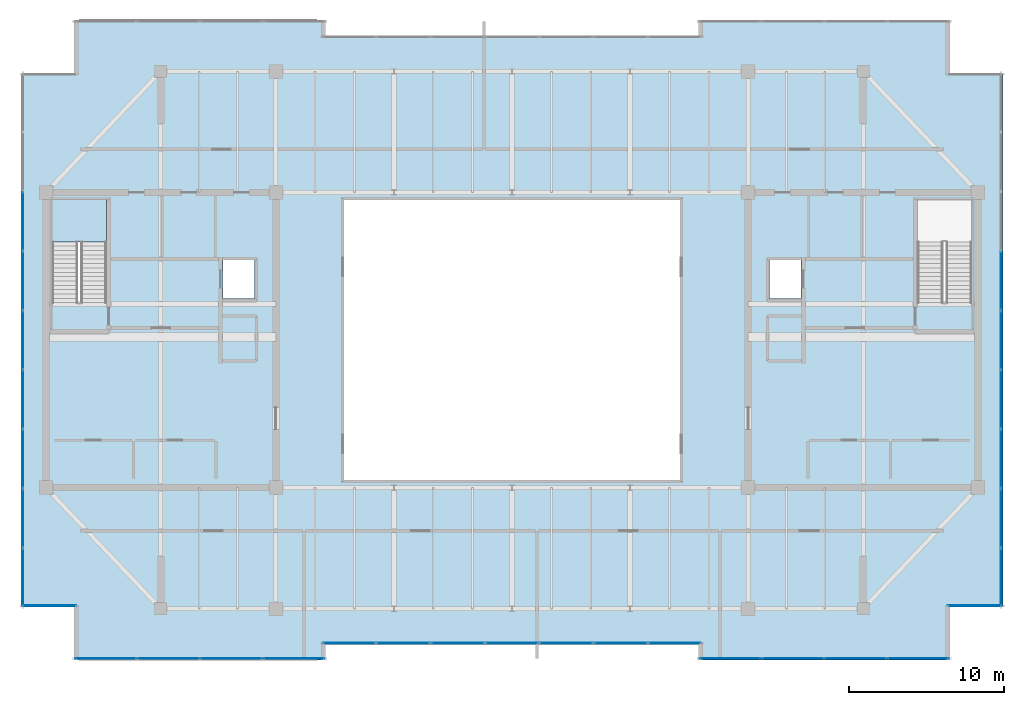
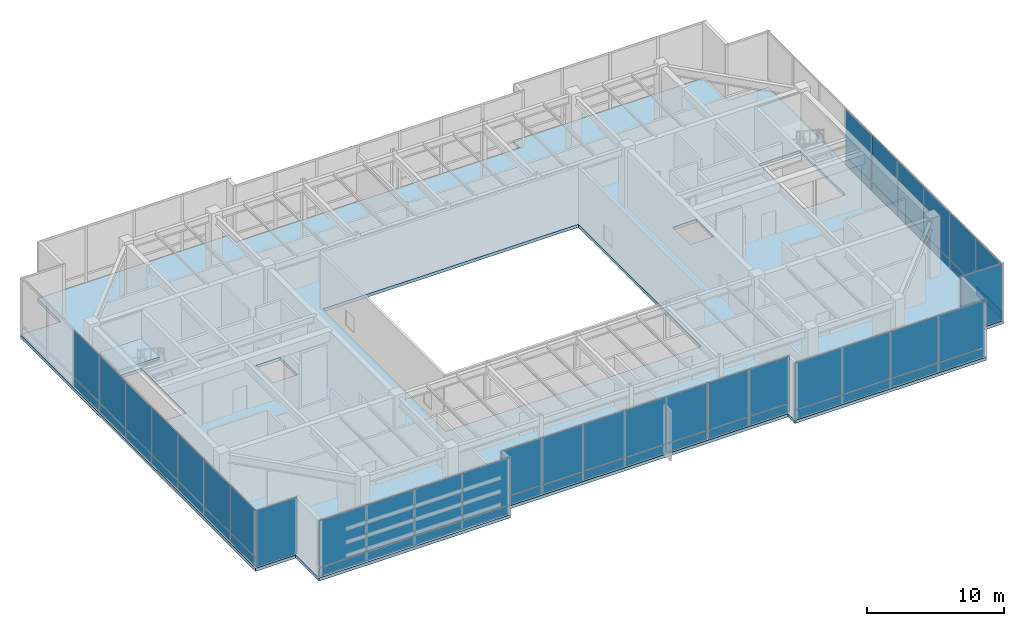
# One storey, part 23 of 30: 58 plates, 2 slabs, 8 elements without a shape of their own.
"""IFC4 building model written with IfcOpenShell, lengths in metres."""

from ifc_helpers import new_model, si_unit, direction, frame, origin, origin_2d, place, context, subcontext, project, spatial, polyline, rectangle, outline, extrude, source, transform, mapped, material, layer, layer_set, type_object, type_shapes, element, aggregate, save


model = new_model("IFC4")

# Units and contexts
model_context = context("Model", 3, precision=1e-05, world=origin(), true_north=direction((0.0, 1.0)))
body_context = subcontext(model_context, "Body", "Model", "MODEL_VIEW")
ifc_project = project(units=[si_unit("LENGTHUNIT", "METRE"), si_unit("AREAUNIT", "SQUARE_METRE"), si_unit("VOLUMEUNIT", "CUBIC_METRE"), si_unit("PLANEANGLEUNIT", "RADIAN"), si_unit("MASSUNIT", "GRAM", prefix="KILO")], contexts=[model_context])

# Site, building, storey
site_placement = place(None, origin())
site = spatial("IfcSite", under=ifc_project, at=site_placement, CompositionType="ELEMENT")
building_placement = place(site_placement, origin())
building = spatial("IfcBuilding", under=site, at=building_placement, Name="Haelvirn Gate Laboratories", CompositionType="ELEMENT")
storey_placement = place(building_placement, frame((0.0, 0.0, 332.39990234375)))
storey = spatial("IfcBuildingStorey", under=building, at=storey_placement, Name="L79", CompositionType="ELEMENT", Elevation=332.39990234375)

# Slab
ifc_material_1 = material(Name="Concrete C40/50", Category="concrete")
ifc_layer_1 = layer(ifc_material_1, 0.280029296875, Name="SL-CRN-280")
ifc_layer_set_1 = layer_set([ifc_layer_1], Name="Concrete C40/50")
slab_type_1 = type_object("IfcSlabType", Name="SL-CRN-280", PredefinedType="FLOOR", material=ifc_layer_set_1)
slab_1_placement = place(storey_placement, frame((0.0, 0.0, -0.27978515625)))
element("IfcSlab", 1, at=slab_1_placement, inside=storey, type_object=slab_type_1, Name="L79 Structural Slab MAIN", PredefinedType="FLOOR", context=body_context, shape_type="SweptSolid", body=[
    extrude(outline(polyline([(9.199951171875, 3.699951171875), (25.39990234375, 3.699951171875), (25.39990234375, 4.699951171875), (49.39990234375, 4.699951171875), (49.39990234375, 3.699951171875), (65.60009765625, 3.699951171875), (65.60009765625, 7.10009765625), (69.0, 7.10009765625), (69.0, 41.5), (65.60009765625, 41.5), (65.60009765625, 44.89990234375), (49.39990234375, 44.89990234375), (49.39990234375, 43.89990234375), (25.39990234375, 43.89990234375), (25.39990234375, 44.89990234375), (9.199951171875, 44.89990234375), (9.199951171875, 41.5), (5.800048828125, 41.5), (5.800048828125, 7.10009765625), (9.199951171875, 7.10009765625), (9.199951171875, 3.699951171875)]), holes=[polyline([(26.60009765625, 15.300048828125), (48.199951171875, 15.300048828125), (48.199951171875, 33.300048828125), (26.60009765625, 33.300048828125), (26.60009765625, 15.300048828125)]), polyline([(11.300048828125, 26.780029296875), (11.300048828125, 33.35009765625), (7.800048828125, 33.35009765625), (7.800048828125, 26.780029296875), (11.300048828125, 26.780029296875)]), polyline([(67.0, 26.780029296875), (67.0, 33.35009765625), (63.5, 33.35009765625), (63.5, 26.780029296875), (67.0, 26.780029296875)]), polyline([(18.7900390625, 26.969970703125), (20.81005859375, 26.969970703125), (20.81005859375, 29.510009765625), (18.7900390625, 29.510009765625), (18.7900390625, 26.969970703125)]), polyline([(53.989990234375, 26.969970703125), (56.010009765625, 26.969970703125), (56.010009765625, 29.510009765625), (53.989990234375, 29.510009765625), (53.989990234375, 26.969970703125)])]), origin(), (0.0, 0.0, 1.0), 0.27978515625),
])

# Stair, slab
stair_type = type_object("IfcStairType", Name="ST-DOG-1650-R30", PredefinedType="HALF_TURN_STAIR", material=ifc_material_1)
stair_placement = place(storey_placement, origin())
stair = element("IfcStair", 2, at=stair_placement, inside=storey, type_object=stair_type, Name="L79 Escape Stair ST1", PredefinedType="HALF_TURN_STAIR")
ifc_layer_2 = layer(ifc_material_1, 0.199951171875, Name="SL-STAIR-LND")
ifc_layer_set_2 = layer_set([ifc_layer_2], Name="Concrete C40/50")
slab_type_2 = type_object("IfcSlabType", Name="SL-STAIR-LND", PredefinedType="LANDING", material=ifc_layer_set_2)
slab_2_placement = place(storey_placement, frame((0.0, 0.0, 2.5)))
slab_2 = element("IfcSlab", 3, at=slab_2_placement, type_object=slab_type_2, Name="ST1 landing 1", PredefinedType="LANDING", context=body_context, shape_type="SweptSolid", body=[
    extrude(outline(polyline([(11.300048828125, 30.6201171875), (11.300048828125, 33.35009765625), (7.800048828125, 33.35009765625), (7.800048828125, 30.6201171875), (11.300048828125, 30.6201171875)])), origin(), (0.0, 0.0, 1.0), 0.2001953125),
])
aggregate(stair, [slab_2])

# Curtain wall, plates
ifc_material_2 = material(Name="Anodised bronze unitised aluminium & triple low-E glass", Category="aluminium")
ifc_layer_3 = layer(ifc_material_2, 0.19189453125, Name="CW-SYS-6")
ifc_layer_set_3 = layer_set([ifc_layer_3], Name="Anodised bronze unitised aluminium & triple low-E glass")
curtain_wall_type_1 = type_object("IfcCurtainWallType", Name="CW-SYS-6", PredefinedType="NOTDEFINED", material=ifc_layer_set_3)
curtain_wall_1_placement = place(storey_placement, origin())
curtain_wall_1 = element("IfcCurtainWall", 4, at=curtain_wall_1_placement, inside=storey, type_object=curtain_wall_type_1, Name="L79 Unitised Curtain Wall CW-L79-P0-E00-1", PredefinedType="NOTDEFINED")
ifc_material_3 = material(Name="Ceramic-fritted bronze acoustic crown glazing 52 mm", Category="glass")
ifc_layer_4 = layer(ifc_material_3, 0.052001953125, Name="CWP-FRT-52")
ifc_layer_set_4 = layer_set([ifc_layer_4], Name="Ceramic-fritted bronze acoustic crown glazing 52 mm")
plate_type_1 = type_object("IfcPlateType", Name="CWP-FRT-52", PredefinedType="CURTAIN_PANEL", material=ifc_layer_set_4)
shared_shape_1 = source(origin(), body_context, "Body", "SweptSolid", [
    extrude(rectangle(XDim=3.929931640625, YDim=0.052001953125, at=origin_2d()), origin(), (0.0, 0.0, 1.0), 0.7451171875),
])
plate_1_placement = place(storey_placement, frame((11.2451171875, 3.800048828125, 0.070068359375), z_axis=(0.0, 0.0, 1.0), x_axis=(1.0, 0.0, 0.0)))
plate_1 = element("IfcPlate", 5, at=plate_1_placement, type_object=plate_type_1, Name="CW6 panel 1.1", PredefinedType="CURTAIN_PANEL", context=body_context, shape_type="MappedRepresentation", body=[
    mapped(shared_shape_1, transform((0.0, 0.0, 0.0), scale=1.0)),
])
plate_2_placement = place(storey_placement, frame((23.35498046875, 3.800048828125, 0.070068359375), z_axis=(0.0, 0.0, 1.0), x_axis=(1.0, 0.0, 0.0)))
plate_2 = element("IfcPlate", 6, at=plate_2_placement, type_object=plate_type_1, Name="CW6 panel 4.1", PredefinedType="CURTAIN_PANEL", context=body_context, shape_type="MappedRepresentation", body=[
    mapped(shared_shape_1, transform((0.0, 0.0, 0.0), scale=1.0)),
])

curtain_wall_2_placement = place(storey_placement, origin())
curtain_wall_2 = element("IfcCurtainWall", 7, at=curtain_wall_2_placement, inside=storey, type_object=curtain_wall_type_1, Name="L79 Unitised Curtain Wall CW-L79-P0-E04-1", PredefinedType="NOTDEFINED")
plate_3_placement = place(storey_placement, frame((51.445068359375, 3.800048828125, 0.070068359375), z_axis=(0.0, 0.0, 1.0), x_axis=(1.0, 0.0, 0.0)))
plate_3 = element("IfcPlate", 8, at=plate_3_placement, type_object=plate_type_1, Name="CW6 panel 1.1", PredefinedType="CURTAIN_PANEL", context=body_context, shape_type="MappedRepresentation", body=[
    mapped(shared_shape_1, transform((0.0, 0.0, 0.0), scale=1.0)),
])
plate_4_placement = place(storey_placement, frame((63.554931640625, 3.800048828125, 0.070068359375), z_axis=(0.0, 0.0, 1.0), x_axis=(1.0, 0.0, 0.0)))
plate_4 = element("IfcPlate", 9, at=plate_4_placement, type_object=plate_type_1, Name="CW6 panel 4.1", PredefinedType="CURTAIN_PANEL", context=body_context, shape_type="MappedRepresentation", body=[
    mapped(shared_shape_1, transform((0.0, 0.0, 0.0), scale=1.0)),
])

# Plate
shared_shape_2 = source(origin(), body_context, "Body", "SweptSolid", [
    extrude(rectangle(XDim=3.929931640625, YDim=0.052001953125, at=origin_2d()), origin(), (0.0, 0.0, 1.0), 4.1650390625),
])
plate_5_placement = place(storey_placement, frame((11.2451171875, 3.800048828125, 0.885009765625), z_axis=(0.0, 0.0, 1.0), x_axis=(1.0, 0.0, 0.0)))
plate_5 = element("IfcPlate", 10, at=plate_5_placement, type_object=plate_type_1, Name="CW6 panel 1.2", PredefinedType="CURTAIN_PANEL", context=body_context, shape_type="MappedRepresentation", body=[
    mapped(shared_shape_2, transform((0.0, 0.0, 0.0), scale=1.0)),
])

plate_6_placement = place(storey_placement, frame((23.35498046875, 3.800048828125, 0.885009765625), z_axis=(0.0, 0.0, 1.0), x_axis=(1.0, 0.0, 0.0)))
plate_6 = element("IfcPlate", 11, at=plate_6_placement, type_object=plate_type_1, Name="CW6 panel 4.2", PredefinedType="CURTAIN_PANEL", context=body_context, shape_type="MappedRepresentation", body=[
    mapped(shared_shape_2, transform((0.0, 0.0, 0.0), scale=1.0)),
])

plate_7_placement = place(storey_placement, frame((51.445068359375, 3.800048828125, 0.885009765625), z_axis=(0.0, 0.0, 1.0), x_axis=(1.0, 0.0, 0.0)))
plate_7 = element("IfcPlate", 12, at=plate_7_placement, type_object=plate_type_1, Name="CW6 panel 1.2", PredefinedType="CURTAIN_PANEL", context=body_context, shape_type="MappedRepresentation", body=[
    mapped(shared_shape_2, transform((0.0, 0.0, 0.0), scale=1.0)),
])

plate_8_placement = place(storey_placement, frame((63.554931640625, 3.800048828125, 0.885009765625), z_axis=(0.0, 0.0, 1.0), x_axis=(1.0, 0.0, 0.0)))
plate_8 = element("IfcPlate", 13, at=plate_8_placement, type_object=plate_type_1, Name="CW6 panel 4.2", PredefinedType="CURTAIN_PANEL", context=body_context, shape_type="MappedRepresentation", body=[
    mapped(shared_shape_2, transform((0.0, 0.0, 0.0), scale=1.0)),
])

shared_shape_3 = source(origin(), body_context, "Body", "SweptSolid", [
    extrude(rectangle(XDim=3.969970703125, YDim=0.052001953125, at=origin_2d()), origin(), (0.0, 0.0, 1.0), 0.7451171875),
])
plate_9_placement = place(storey_placement, frame((15.27490234375, 3.800048828125, 0.070068359375), z_axis=(0.0, 0.0, 1.0), x_axis=(1.0, 0.0, 0.0)))
plate_9 = element("IfcPlate", 14, at=plate_9_placement, type_object=plate_type_1, Name="CW6 panel 2.1", PredefinedType="CURTAIN_PANEL", context=body_context, shape_type="MappedRepresentation", body=[
    mapped(shared_shape_3, transform((0.0, 0.0, 0.0), scale=1.0)),
])

plate_10_placement = place(storey_placement, frame((19.324951171875, 3.800048828125, 0.070068359375), z_axis=(0.0, 0.0, 1.0), x_axis=(1.0, 0.0, 0.0)))
plate_10 = element("IfcPlate", 15, at=plate_10_placement, type_object=plate_type_1, Name="CW6 panel 3.1", PredefinedType="CURTAIN_PANEL", context=body_context, shape_type="MappedRepresentation", body=[
    mapped(shared_shape_3, transform((0.0, 0.0, 0.0), scale=1.0)),
])

plate_11_placement = place(storey_placement, frame((55.47509765625, 3.800048828125, 0.070068359375), z_axis=(0.0, 0.0, 1.0), x_axis=(1.0, 0.0, 0.0)))
plate_11 = element("IfcPlate", 16, at=plate_11_placement, type_object=plate_type_1, Name="CW6 panel 2.1", PredefinedType="CURTAIN_PANEL", context=body_context, shape_type="MappedRepresentation", body=[
    mapped(shared_shape_3, transform((0.0, 0.0, 0.0), scale=1.0)),
])

plate_12_placement = place(storey_placement, frame((59.52490234375, 3.800048828125, 0.070068359375), z_axis=(0.0, 0.0, 1.0), x_axis=(1.0, 0.0, 0.0)))
plate_12 = element("IfcPlate", 17, at=plate_12_placement, type_object=plate_type_1, Name="CW6 panel 3.1", PredefinedType="CURTAIN_PANEL", context=body_context, shape_type="MappedRepresentation", body=[
    mapped(shared_shape_3, transform((0.0, 0.0, 0.0), scale=1.0)),
])

shared_shape_4 = source(origin(), body_context, "Body", "SweptSolid", [
    extrude(rectangle(XDim=3.969970703125, YDim=0.052001953125, at=origin_2d()), origin(), (0.0, 0.0, 1.0), 4.1650390625),
])
plate_13_placement = place(storey_placement, frame((15.27490234375, 3.800048828125, 0.885009765625), z_axis=(0.0, 0.0, 1.0), x_axis=(1.0, 0.0, 0.0)))
plate_13 = element("IfcPlate", 18, at=plate_13_placement, type_object=plate_type_1, Name="CW6 panel 2.2", PredefinedType="CURTAIN_PANEL", context=body_context, shape_type="MappedRepresentation", body=[
    mapped(shared_shape_4, transform((0.0, 0.0, 0.0), scale=1.0)),
])

plate_14_placement = place(storey_placement, frame((19.324951171875, 3.800048828125, 0.885009765625), z_axis=(0.0, 0.0, 1.0), x_axis=(1.0, 0.0, 0.0)))
plate_14 = element("IfcPlate", 19, at=plate_14_placement, type_object=plate_type_1, Name="CW6 panel 3.2", PredefinedType="CURTAIN_PANEL", context=body_context, shape_type="MappedRepresentation", body=[
    mapped(shared_shape_4, transform((0.0, 0.0, 0.0), scale=1.0)),
])

aggregate(curtain_wall_1, [plate_1, plate_5, plate_9, plate_13, plate_10, plate_14, plate_2, plate_6])

plate_15_placement = place(storey_placement, frame((55.47509765625, 3.800048828125, 0.885009765625), z_axis=(0.0, 0.0, 1.0), x_axis=(1.0, 0.0, 0.0)))
plate_15 = element("IfcPlate", 20, at=plate_15_placement, type_object=plate_type_1, Name="CW6 panel 2.2", PredefinedType="CURTAIN_PANEL", context=body_context, shape_type="MappedRepresentation", body=[
    mapped(shared_shape_4, transform((0.0, 0.0, 0.0), scale=1.0)),
])

plate_16_placement = place(storey_placement, frame((59.52490234375, 3.800048828125, 0.885009765625), z_axis=(0.0, 0.0, 1.0), x_axis=(1.0, 0.0, 0.0)))
plate_16 = element("IfcPlate", 21, at=plate_16_placement, type_object=plate_type_1, Name="CW6 panel 3.2", PredefinedType="CURTAIN_PANEL", context=body_context, shape_type="MappedRepresentation", body=[
    mapped(shared_shape_4, transform((0.0, 0.0, 0.0), scale=1.0)),
])

aggregate(curtain_wall_2, [plate_3, plate_7, plate_11, plate_15, plate_12, plate_16, plate_4, plate_8])

# Curtain wall, plates
curtain_wall_3_placement = place(storey_placement, origin())
curtain_wall_3 = element("IfcCurtainWall", 22, at=curtain_wall_3_placement, inside=storey, type_object=curtain_wall_type_1, Name="L79 Unitised Curtain Wall CW-L79-P0-E02-1", PredefinedType="NOTDEFINED")
shared_shape_5 = source(origin(), body_context, "Body", "SweptSolid", [
    extrude(rectangle(XDim=3.377197265625, YDim=0.052001953125, at=origin_2d()), origin(), (0.0, 0.0, 1.0), 0.7451171875),
])
plate_17_placement = place(storey_placement, frame((26.928466796875, 4.800048828125, 0.070068359375), z_axis=(0.0, 0.0, 1.0), x_axis=(1.0, 0.0, 0.0)))
plate_17 = element("IfcPlate", 23, at=plate_17_placement, type_object=plate_type_1, Name="CW6 panel 1.1", PredefinedType="CURTAIN_PANEL", context=body_context, shape_type="MappedRepresentation", body=[
    mapped(shared_shape_5, transform((0.0, 0.0, 0.0), scale=1.0)),
])
plate_18_placement = place(storey_placement, frame((47.871337890625, 4.800048828125, 0.070068359375), z_axis=(0.0, 0.0, 1.0), x_axis=(1.0, 0.0, 0.0)))
plate_18 = element("IfcPlate", 24, at=plate_18_placement, type_object=plate_type_1, Name="CW6 panel 7.1", PredefinedType="CURTAIN_PANEL", context=body_context, shape_type="MappedRepresentation", body=[
    mapped(shared_shape_5, transform((0.0, 0.0, 0.0), scale=1.0)),
])
shared_shape_6 = source(origin(), body_context, "Body", "SweptSolid", [
    extrude(rectangle(XDim=3.377197265625, YDim=0.052001953125, at=origin_2d()), origin(), (0.0, 0.0, 1.0), 4.1650390625),
])
plate_19_placement = place(storey_placement, frame((26.928466796875, 4.800048828125, 0.885009765625), z_axis=(0.0, 0.0, 1.0), x_axis=(1.0, 0.0, 0.0)))
plate_19 = element("IfcPlate", 25, at=plate_19_placement, type_object=plate_type_1, Name="CW6 panel 1.2", PredefinedType="CURTAIN_PANEL", context=body_context, shape_type="MappedRepresentation", body=[
    mapped(shared_shape_6, transform((0.0, 0.0, 0.0), scale=1.0)),
])
plate_20_placement = place(storey_placement, frame((47.871337890625, 4.800048828125, 0.885009765625), z_axis=(0.0, 0.0, 1.0), x_axis=(1.0, 0.0, 0.0)))
plate_20 = element("IfcPlate", 26, at=plate_20_placement, type_object=plate_type_1, Name="CW6 panel 7.2", PredefinedType="CURTAIN_PANEL", context=body_context, shape_type="MappedRepresentation", body=[
    mapped(shared_shape_6, transform((0.0, 0.0, 0.0), scale=1.0)),
])
shared_shape_7 = source(origin(), body_context, "Body", "SweptSolid", [
    extrude(rectangle(XDim=3.417236328125, YDim=0.052001953125, at=origin_2d()), origin(), (0.0, 0.0, 1.0), 0.7451171875),
])
plate_21_placement = place(storey_placement, frame((30.40576171875, 4.800048828125, 0.070068359375), z_axis=(0.0, 0.0, 1.0), x_axis=(1.0, 0.0, 0.0)))
plate_21 = element("IfcPlate", 27, at=plate_21_placement, type_object=plate_type_1, Name="CW6 panel 2.1", PredefinedType="CURTAIN_PANEL", context=body_context, shape_type="MappedRepresentation", body=[
    mapped(shared_shape_7, transform((0.0, 0.0, 0.0), scale=1.0)),
])
plate_22_placement = place(storey_placement, frame((33.90283203125, 4.800048828125, 0.070068359375), z_axis=(0.0, 0.0, 1.0), x_axis=(1.0, 0.0, 0.0)))
plate_22 = element("IfcPlate", 28, at=plate_22_placement, type_object=plate_type_1, Name="CW6 panel 3.1", PredefinedType="CURTAIN_PANEL", context=body_context, shape_type="MappedRepresentation", body=[
    mapped(shared_shape_7, transform((0.0, 0.0, 0.0), scale=1.0)),
])
plate_23_placement = place(storey_placement, frame((37.39990234375, 4.800048828125, 0.070068359375), z_axis=(0.0, 0.0, 1.0), x_axis=(1.0, 0.0, 0.0)))
plate_23 = element("IfcPlate", 29, at=plate_23_placement, type_object=plate_type_1, Name="CW6 panel 4.1", PredefinedType="CURTAIN_PANEL", context=body_context, shape_type="MappedRepresentation", body=[
    mapped(shared_shape_7, transform((0.0, 0.0, 0.0), scale=1.0)),
])
plate_24_placement = place(storey_placement, frame((40.897216796875, 4.800048828125, 0.070068359375), z_axis=(0.0, 0.0, 1.0), x_axis=(1.0, 0.0, 0.0)))
plate_24 = element("IfcPlate", 30, at=plate_24_placement, type_object=plate_type_1, Name="CW6 panel 5.1", PredefinedType="CURTAIN_PANEL", context=body_context, shape_type="MappedRepresentation", body=[
    mapped(shared_shape_7, transform((0.0, 0.0, 0.0), scale=1.0)),
])
plate_25_placement = place(storey_placement, frame((44.394287109375, 4.800048828125, 0.070068359375), z_axis=(0.0, 0.0, 1.0), x_axis=(1.0, 0.0, 0.0)))
plate_25 = element("IfcPlate", 31, at=plate_25_placement, type_object=plate_type_1, Name="CW6 panel 6.1", PredefinedType="CURTAIN_PANEL", context=body_context, shape_type="MappedRepresentation", body=[
    mapped(shared_shape_7, transform((0.0, 0.0, 0.0), scale=1.0)),
])
shared_shape_8 = source(origin(), body_context, "Body", "SweptSolid", [
    extrude(rectangle(XDim=3.417236328125, YDim=0.052001953125, at=origin_2d()), origin(), (0.0, 0.0, 1.0), 4.1650390625),
])
plate_26_placement = place(storey_placement, frame((30.40576171875, 4.800048828125, 0.885009765625), z_axis=(0.0, 0.0, 1.0), x_axis=(1.0, 0.0, 0.0)))
plate_26 = element("IfcPlate", 32, at=plate_26_placement, type_object=plate_type_1, Name="CW6 panel 2.2", PredefinedType="CURTAIN_PANEL", context=body_context, shape_type="MappedRepresentation", body=[
    mapped(shared_shape_8, transform((0.0, 0.0, 0.0), scale=1.0)),
])
plate_27_placement = place(storey_placement, frame((33.90283203125, 4.800048828125, 0.885009765625), z_axis=(0.0, 0.0, 1.0), x_axis=(1.0, 0.0, 0.0)))
plate_27 = element("IfcPlate", 33, at=plate_27_placement, type_object=plate_type_1, Name="CW6 panel 3.2", PredefinedType="CURTAIN_PANEL", context=body_context, shape_type="MappedRepresentation", body=[
    mapped(shared_shape_8, transform((0.0, 0.0, 0.0), scale=1.0)),
])
plate_28_placement = place(storey_placement, frame((37.39990234375, 4.800048828125, 0.885009765625), z_axis=(0.0, 0.0, 1.0), x_axis=(1.0, 0.0, 0.0)))
plate_28 = element("IfcPlate", 34, at=plate_28_placement, type_object=plate_type_1, Name="CW6 panel 4.2", PredefinedType="CURTAIN_PANEL", context=body_context, shape_type="MappedRepresentation", body=[
    mapped(shared_shape_8, transform((0.0, 0.0, 0.0), scale=1.0)),
])
plate_29_placement = place(storey_placement, frame((40.897216796875, 4.800048828125, 0.885009765625), z_axis=(0.0, 0.0, 1.0), x_axis=(1.0, 0.0, 0.0)))
plate_29 = element("IfcPlate", 35, at=plate_29_placement, type_object=plate_type_1, Name="CW6 panel 5.2", PredefinedType="CURTAIN_PANEL", context=body_context, shape_type="MappedRepresentation", body=[
    mapped(shared_shape_8, transform((0.0, 0.0, 0.0), scale=1.0)),
])
plate_30_placement = place(storey_placement, frame((44.394287109375, 4.800048828125, 0.885009765625), z_axis=(0.0, 0.0, 1.0), x_axis=(1.0, 0.0, 0.0)))
plate_30 = element("IfcPlate", 36, at=plate_30_placement, type_object=plate_type_1, Name="CW6 panel 6.2", PredefinedType="CURTAIN_PANEL", context=body_context, shape_type="MappedRepresentation", body=[
    mapped(shared_shape_8, transform((0.0, 0.0, 0.0), scale=1.0)),
])
aggregate(curtain_wall_3, [plate_17, plate_19, plate_21, plate_26, plate_22, plate_27, plate_23, plate_28, plate_24, plate_29, plate_25, plate_30, plate_18, plate_20])

# Curtain wall, plate
ifc_layer_5 = layer(ifc_material_2, 0.181884765625, Name="CW-SYS-5")
ifc_layer_set_5 = layer_set([ifc_layer_5], Name="Anodised bronze unitised aluminium & triple low-E glass")
curtain_wall_type_2 = type_object("IfcCurtainWallType", Name="CW-SYS-5", PredefinedType="NOTDEFINED", material=ifc_layer_set_5)
curtain_wall_4_placement = place(storey_placement, origin())
curtain_wall_4 = element("IfcCurtainWall", 37, at=curtain_wall_4_placement, inside=storey, type_object=curtain_wall_type_2, Name="L79 Unitised Curtain Wall CW-L79-P0-E06-1", PredefinedType="NOTDEFINED")
ifc_material_4 = material(Name="Clear low-iron notched-corner triple IGU 42 mm", Category="glass")
ifc_layer_6 = layer(ifc_material_4, 0.0419921875, Name="CWP-NTC-42")
ifc_layer_set_6 = layer_set([ifc_layer_6], Name="Clear low-iron notched-corner triple IGU 42 mm")
plate_type_2 = type_object("IfcPlateType", Name="CWP-NTC-42", PredefinedType="CURTAIN_PANEL", material=ifc_layer_set_6)
shared_shape_9 = source(origin(), body_context, "Body", "SweptSolid", [
    extrude(rectangle(XDim=3.47998046875, YDim=0.0419921875, at=origin_2d()), origin(), (0.0, 0.0, 1.0), 4.989990234375),
])
type_shapes(plate_type_2, [shared_shape_9])
plate_31_placement = place(storey_placement, frame((67.179931640625, 7.199951171875, 0.06494140625), z_axis=(0.0, 0.0, 1.0), x_axis=(1.0, 0.0, 0.0)))
plate_31 = element("IfcPlate", 38, at=plate_31_placement, type_object=plate_type_2, Name="CW5 panel 1.1", PredefinedType="CURTAIN_PANEL", context=body_context, shape_type="MappedRepresentation", body=[
    mapped(shared_shape_9, transform((0.0, 0.0, 0.0), scale=1.0)),
])
aggregate(curtain_wall_4, [plate_31])

curtain_wall_5_placement = place(storey_placement, origin())
curtain_wall_5 = element("IfcCurtainWall", 39, at=curtain_wall_5_placement, inside=storey, type_object=curtain_wall_type_2, Name="L79 Unitised Curtain Wall CW-L79-P0-E18-1", PredefinedType="NOTDEFINED")
plate_32_placement = place(storey_placement, frame((7.6201171875, 7.199951171875, 0.06494140625), z_axis=(0.0, 0.0, 1.0), x_axis=(1.0, 0.0, 0.0)))
plate_32 = element("IfcPlate", 40, at=plate_32_placement, type_object=plate_type_2, Name="CW5 panel 1.1", PredefinedType="CURTAIN_PANEL", context=body_context, shape_type="MappedRepresentation", body=[
    mapped(shared_shape_9, transform((0.0, 0.0, 0.0), scale=1.0)),
])
aggregate(curtain_wall_5, [plate_32])

curtain_wall_6_placement = place(storey_placement, origin())
curtain_wall_6 = element("IfcCurtainWall", 41, at=curtain_wall_6_placement, inside=storey, type_object=curtain_wall_type_1, Name="L79 Unitised Curtain Wall CW-L79-P0-E07", PredefinedType="NOTDEFINED")
shared_shape_10 = source(origin(), body_context, "Body", "SweptSolid", [
    extrude(rectangle(XDim=3.7021484375, YDim=0.052001953125, at=origin_2d()), origin(), (0.0, 0.0, 1.0), 0.7451171875),
])
plate_33_placement = place(storey_placement, frame((68.89990234375, 9.031005859375, 0.070068359375), z_axis=(0.0, 0.0, 1.0), x_axis=(0.0, 1.0, 0.0)))
plate_33 = element("IfcPlate", 42, at=plate_33_placement, type_object=plate_type_1, Name="CW6 panel 1.1", PredefinedType="CURTAIN_PANEL", context=body_context, shape_type="MappedRepresentation", body=[
    mapped(shared_shape_10, transform((0.0, 0.0, 0.0), scale=1.0)),
])

curtain_wall_7_placement = place(storey_placement, origin())
curtain_wall_7 = element("IfcCurtainWall", 43, at=curtain_wall_7_placement, inside=storey, type_object=curtain_wall_type_1, Name="L79 Unitised Curtain Wall CW-L79-P0-E17", PredefinedType="NOTDEFINED")
plate_34_placement = place(storey_placement, frame((5.89990234375, 9.031005859375, 0.070068359375), z_axis=(0.0, 0.0, 1.0), x_axis=(0.0, -1.0, 0.0)))
plate_34 = element("IfcPlate", 44, at=plate_34_placement, type_object=plate_type_1, Name="CW6 panel 9.1", PredefinedType="CURTAIN_PANEL", context=body_context, shape_type="MappedRepresentation", body=[
    mapped(shared_shape_10, transform((0.0, 0.0, 0.0), scale=1.0)),
])

# Plate
shared_shape_11 = source(origin(), body_context, "Body", "SweptSolid", [
    extrude(rectangle(XDim=3.7021484375, YDim=0.052001953125, at=origin_2d()), origin(), (0.0, 0.0, 1.0), 4.1650390625),
])
plate_35_placement = place(storey_placement, frame((68.89990234375, 9.031005859375, 0.885009765625), z_axis=(0.0, 0.0, 1.0), x_axis=(0.0, 1.0, 0.0)))
plate_35 = element("IfcPlate", 45, at=plate_35_placement, type_object=plate_type_1, Name="CW6 panel 1.2", PredefinedType="CURTAIN_PANEL", context=body_context, shape_type="MappedRepresentation", body=[
    mapped(shared_shape_11, transform((0.0, 0.0, 0.0), scale=1.0)),
])

plate_36_placement = place(storey_placement, frame((5.89990234375, 9.031005859375, 0.885009765625), z_axis=(0.0, 0.0, 1.0), x_axis=(0.0, -1.0, 0.0)))
plate_36 = element("IfcPlate", 46, at=plate_36_placement, type_object=plate_type_1, Name="CW6 panel 9.2", PredefinedType="CURTAIN_PANEL", context=body_context, shape_type="MappedRepresentation", body=[
    mapped(shared_shape_11, transform((0.0, 0.0, 0.0), scale=1.0)),
])

shared_shape_12 = source(origin(), body_context, "Body", "SweptSolid", [
    extrude(rectangle(XDim=3.7421875, YDim=0.052001953125, at=origin_2d()), origin(), (0.0, 0.0, 1.0), 0.7451171875),
])
plate_37_placement = place(storey_placement, frame((68.89990234375, 12.833251953125, 0.070068359375), z_axis=(0.0, 0.0, 1.0), x_axis=(0.0, 1.0, 0.0)))
plate_37 = element("IfcPlate", 47, at=plate_37_placement, type_object=plate_type_1, Name="CW6 panel 2.1", PredefinedType="CURTAIN_PANEL", context=body_context, shape_type="MappedRepresentation", body=[
    mapped(shared_shape_12, transform((0.0, 0.0, 0.0), scale=1.0)),
])

plate_38_placement = place(storey_placement, frame((68.89990234375, 16.655517578125, 0.070068359375), z_axis=(0.0, 0.0, 1.0), x_axis=(0.0, 1.0, 0.0)))
plate_38 = element("IfcPlate", 48, at=plate_38_placement, type_object=plate_type_1, Name="CW6 panel 3.1", PredefinedType="CURTAIN_PANEL", context=body_context, shape_type="MappedRepresentation", body=[
    mapped(shared_shape_12, transform((0.0, 0.0, 0.0), scale=1.0)),
])

plate_39_placement = place(storey_placement, frame((68.89990234375, 20.477783203125, 0.070068359375), z_axis=(0.0, 0.0, 1.0), x_axis=(0.0, 1.0, 0.0)))
plate_39 = element("IfcPlate", 49, at=plate_39_placement, type_object=plate_type_1, Name="CW6 panel 4.1", PredefinedType="CURTAIN_PANEL", context=body_context, shape_type="MappedRepresentation", body=[
    mapped(shared_shape_12, transform((0.0, 0.0, 0.0), scale=1.0)),
])

plate_40_placement = place(storey_placement, frame((68.89990234375, 24.300048828125, 0.070068359375), z_axis=(0.0, 0.0, 1.0), x_axis=(0.0, 1.0, 0.0)))
plate_40 = element("IfcPlate", 50, at=plate_40_placement, type_object=plate_type_1, Name="CW6 panel 5.1", PredefinedType="CURTAIN_PANEL", context=body_context, shape_type="MappedRepresentation", body=[
    mapped(shared_shape_12, transform((0.0, 0.0, 0.0), scale=1.0)),
])

plate_41_placement = place(storey_placement, frame((68.89990234375, 28.122314453125, 0.070068359375), z_axis=(0.0, 0.0, 1.0), x_axis=(0.0, 1.0, 0.0)))
plate_41 = element("IfcPlate", 51, at=plate_41_placement, type_object=plate_type_1, Name="CW6 panel 6.1", PredefinedType="CURTAIN_PANEL", context=body_context, shape_type="MappedRepresentation", body=[
    mapped(shared_shape_12, transform((0.0, 0.0, 0.0), scale=1.0)),
])

plate_42_placement = place(storey_placement, frame((5.89990234375, 31.9443359375, 0.070068359375), z_axis=(0.0, 0.0, 1.0), x_axis=(0.0, -1.0, 0.0)))
plate_42 = element("IfcPlate", 52, at=plate_42_placement, type_object=plate_type_1, Name="CW6 panel 3.1", PredefinedType="CURTAIN_PANEL", context=body_context, shape_type="MappedRepresentation", body=[
    mapped(shared_shape_12, transform((0.0, 0.0, 0.0), scale=1.0)),
])

plate_43_placement = place(storey_placement, frame((5.89990234375, 28.122314453125, 0.070068359375), z_axis=(0.0, 0.0, 1.0), x_axis=(0.0, -1.0, 0.0)))
plate_43 = element("IfcPlate", 53, at=plate_43_placement, type_object=plate_type_1, Name="CW6 panel 4.1", PredefinedType="CURTAIN_PANEL", context=body_context, shape_type="MappedRepresentation", body=[
    mapped(shared_shape_12, transform((0.0, 0.0, 0.0), scale=1.0)),
])

plate_44_placement = place(storey_placement, frame((5.89990234375, 24.300048828125, 0.070068359375), z_axis=(0.0, 0.0, 1.0), x_axis=(0.0, -1.0, 0.0)))
plate_44 = element("IfcPlate", 54, at=plate_44_placement, type_object=plate_type_1, Name="CW6 panel 5.1", PredefinedType="CURTAIN_PANEL", context=body_context, shape_type="MappedRepresentation", body=[
    mapped(shared_shape_12, transform((0.0, 0.0, 0.0), scale=1.0)),
])

plate_45_placement = place(storey_placement, frame((5.89990234375, 20.477783203125, 0.070068359375), z_axis=(0.0, 0.0, 1.0), x_axis=(0.0, -1.0, 0.0)))
plate_45 = element("IfcPlate", 55, at=plate_45_placement, type_object=plate_type_1, Name="CW6 panel 6.1", PredefinedType="CURTAIN_PANEL", context=body_context, shape_type="MappedRepresentation", body=[
    mapped(shared_shape_12, transform((0.0, 0.0, 0.0), scale=1.0)),
])

plate_46_placement = place(storey_placement, frame((5.89990234375, 16.655517578125, 0.070068359375), z_axis=(0.0, 0.0, 1.0), x_axis=(0.0, -1.0, 0.0)))
plate_46 = element("IfcPlate", 56, at=plate_46_placement, type_object=plate_type_1, Name="CW6 panel 7.1", PredefinedType="CURTAIN_PANEL", context=body_context, shape_type="MappedRepresentation", body=[
    mapped(shared_shape_12, transform((0.0, 0.0, 0.0), scale=1.0)),
])

plate_47_placement = place(storey_placement, frame((5.89990234375, 12.833251953125, 0.070068359375), z_axis=(0.0, 0.0, 1.0), x_axis=(0.0, -1.0, 0.0)))
plate_47 = element("IfcPlate", 57, at=plate_47_placement, type_object=plate_type_1, Name="CW6 panel 8.1", PredefinedType="CURTAIN_PANEL", context=body_context, shape_type="MappedRepresentation", body=[
    mapped(shared_shape_12, transform((0.0, 0.0, 0.0), scale=1.0)),
])

shared_shape_13 = source(origin(), body_context, "Body", "SweptSolid", [
    extrude(rectangle(XDim=3.7421875, YDim=0.052001953125, at=origin_2d()), origin(), (0.0, 0.0, 1.0), 4.1650390625),
])
type_shapes(plate_type_1, [shared_shape_1, shared_shape_2, shared_shape_3, shared_shape_4, shared_shape_5, shared_shape_6, shared_shape_7, shared_shape_8, shared_shape_10, shared_shape_11, shared_shape_12, shared_shape_13])
plate_48_placement = place(storey_placement, frame((68.89990234375, 12.833251953125, 0.885009765625), z_axis=(0.0, 0.0, 1.0), x_axis=(0.0, 1.0, 0.0)))
plate_48 = element("IfcPlate", 58, at=plate_48_placement, type_object=plate_type_1, Name="CW6 panel 2.2", PredefinedType="CURTAIN_PANEL", context=body_context, shape_type="MappedRepresentation", body=[
    mapped(shared_shape_13, transform((0.0, 0.0, 0.0), scale=1.0)),
])

plate_49_placement = place(storey_placement, frame((68.89990234375, 16.655517578125, 0.885009765625), z_axis=(0.0, 0.0, 1.0), x_axis=(0.0, 1.0, 0.0)))
plate_49 = element("IfcPlate", 59, at=plate_49_placement, type_object=plate_type_1, Name="CW6 panel 3.2", PredefinedType="CURTAIN_PANEL", context=body_context, shape_type="MappedRepresentation", body=[
    mapped(shared_shape_13, transform((0.0, 0.0, 0.0), scale=1.0)),
])

plate_50_placement = place(storey_placement, frame((68.89990234375, 20.477783203125, 0.885009765625), z_axis=(0.0, 0.0, 1.0), x_axis=(0.0, 1.0, 0.0)))
plate_50 = element("IfcPlate", 60, at=plate_50_placement, type_object=plate_type_1, Name="CW6 panel 4.2", PredefinedType="CURTAIN_PANEL", context=body_context, shape_type="MappedRepresentation", body=[
    mapped(shared_shape_13, transform((0.0, 0.0, 0.0), scale=1.0)),
])

plate_51_placement = place(storey_placement, frame((68.89990234375, 24.300048828125, 0.885009765625), z_axis=(0.0, 0.0, 1.0), x_axis=(0.0, 1.0, 0.0)))
plate_51 = element("IfcPlate", 61, at=plate_51_placement, type_object=plate_type_1, Name="CW6 panel 5.2", PredefinedType="CURTAIN_PANEL", context=body_context, shape_type="MappedRepresentation", body=[
    mapped(shared_shape_13, transform((0.0, 0.0, 0.0), scale=1.0)),
])

plate_52_placement = place(storey_placement, frame((68.89990234375, 28.122314453125, 0.885009765625), z_axis=(0.0, 0.0, 1.0), x_axis=(0.0, 1.0, 0.0)))
plate_52 = element("IfcPlate", 62, at=plate_52_placement, type_object=plate_type_1, Name="CW6 panel 6.2", PredefinedType="CURTAIN_PANEL", context=body_context, shape_type="MappedRepresentation", body=[
    mapped(shared_shape_13, transform((0.0, 0.0, 0.0), scale=1.0)),
])

aggregate(curtain_wall_6, [plate_33, plate_35, plate_37, plate_48, plate_38, plate_49, plate_39, plate_50, plate_40, plate_51, plate_41, plate_52])

plate_53_placement = place(storey_placement, frame((5.89990234375, 31.9443359375, 0.885009765625), z_axis=(0.0, 0.0, 1.0), x_axis=(0.0, -1.0, 0.0)))
plate_53 = element("IfcPlate", 63, at=plate_53_placement, type_object=plate_type_1, Name="CW6 panel 3.2", PredefinedType="CURTAIN_PANEL", context=body_context, shape_type="MappedRepresentation", body=[
    mapped(shared_shape_13, transform((0.0, 0.0, 0.0), scale=1.0)),
])

plate_54_placement = place(storey_placement, frame((5.89990234375, 28.122314453125, 0.885009765625), z_axis=(0.0, 0.0, 1.0), x_axis=(0.0, -1.0, 0.0)))
plate_54 = element("IfcPlate", 64, at=plate_54_placement, type_object=plate_type_1, Name="CW6 panel 4.2", PredefinedType="CURTAIN_PANEL", context=body_context, shape_type="MappedRepresentation", body=[
    mapped(shared_shape_13, transform((0.0, 0.0, 0.0), scale=1.0)),
])

plate_55_placement = place(storey_placement, frame((5.89990234375, 24.300048828125, 0.885009765625), z_axis=(0.0, 0.0, 1.0), x_axis=(0.0, -1.0, 0.0)))
plate_55 = element("IfcPlate", 65, at=plate_55_placement, type_object=plate_type_1, Name="CW6 panel 5.2", PredefinedType="CURTAIN_PANEL", context=body_context, shape_type="MappedRepresentation", body=[
    mapped(shared_shape_13, transform((0.0, 0.0, 0.0), scale=1.0)),
])

plate_56_placement = place(storey_placement, frame((5.89990234375, 20.477783203125, 0.885009765625), z_axis=(0.0, 0.0, 1.0), x_axis=(0.0, -1.0, 0.0)))
plate_56 = element("IfcPlate", 66, at=plate_56_placement, type_object=plate_type_1, Name="CW6 panel 6.2", PredefinedType="CURTAIN_PANEL", context=body_context, shape_type="MappedRepresentation", body=[
    mapped(shared_shape_13, transform((0.0, 0.0, 0.0), scale=1.0)),
])

plate_57_placement = place(storey_placement, frame((5.89990234375, 16.655517578125, 0.885009765625), z_axis=(0.0, 0.0, 1.0), x_axis=(0.0, -1.0, 0.0)))
plate_57 = element("IfcPlate", 67, at=plate_57_placement, type_object=plate_type_1, Name="CW6 panel 7.2", PredefinedType="CURTAIN_PANEL", context=body_context, shape_type="MappedRepresentation", body=[
    mapped(shared_shape_13, transform((0.0, 0.0, 0.0), scale=1.0)),
])

plate_58_placement = place(storey_placement, frame((5.89990234375, 12.833251953125, 0.885009765625), z_axis=(0.0, 0.0, 1.0), x_axis=(0.0, -1.0, 0.0)))
plate_58 = element("IfcPlate", 68, at=plate_58_placement, type_object=plate_type_1, Name="CW6 panel 8.2", PredefinedType="CURTAIN_PANEL", context=body_context, shape_type="MappedRepresentation", body=[
    mapped(shared_shape_13, transform((0.0, 0.0, 0.0), scale=1.0)),
])

aggregate(curtain_wall_7, [plate_42, plate_53, plate_43, plate_54, plate_44, plate_55, plate_45, plate_56, plate_46, plate_57, plate_47, plate_58, plate_34, plate_36])

save(model, "model.ifc")
